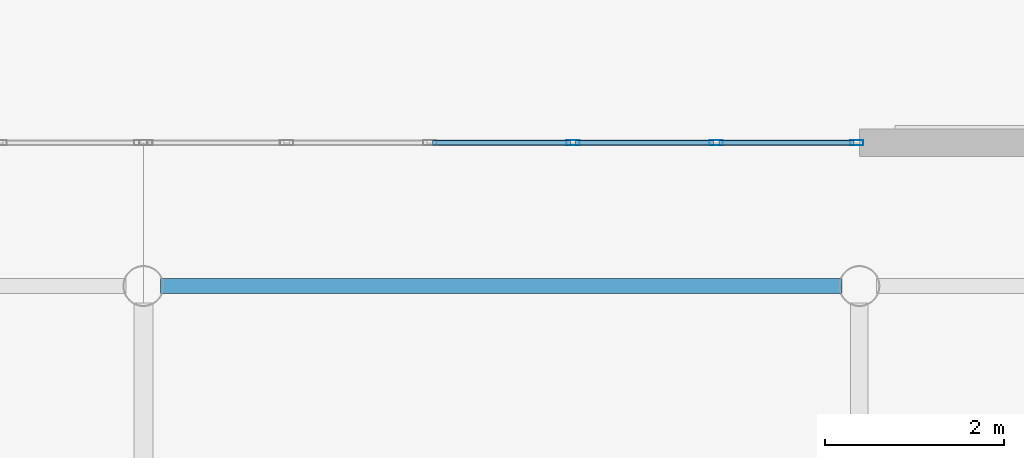
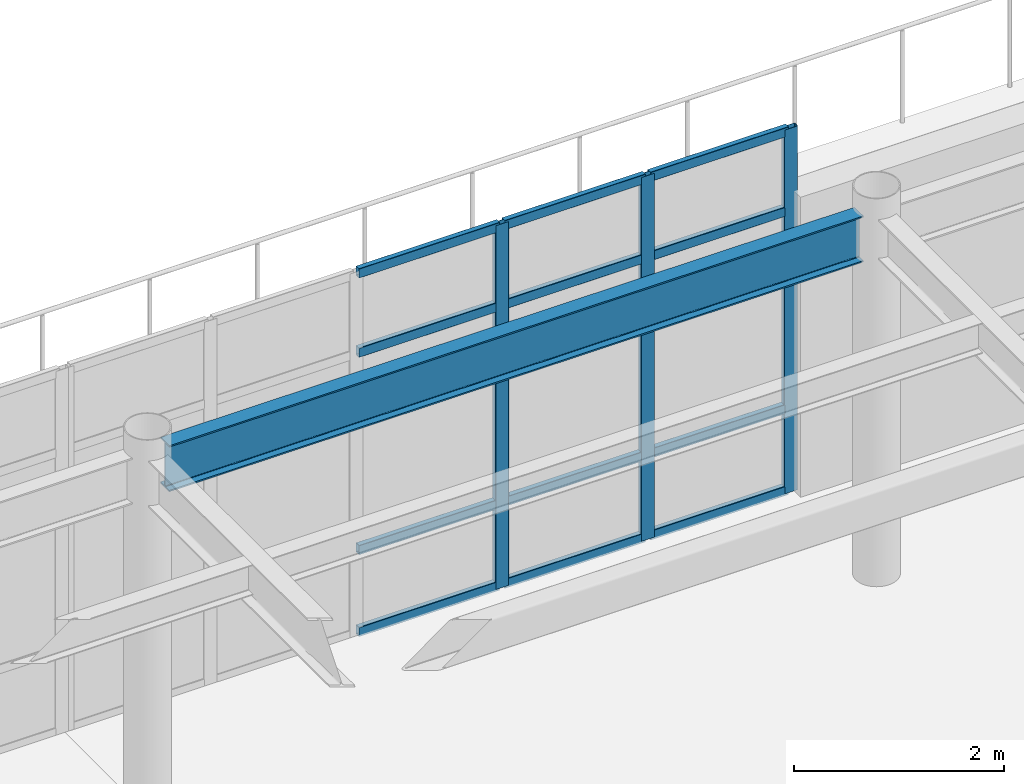
# One storey, part 26 of 93: 15 members, 1 beam, 1 element without a shape of its own.
"""IFC4 building model written with IfcOpenShell, lengths in metres."""

from ifc_helpers import new_model, si_unit, direction, frame, origin, origin_2d, place, context, subcontext, project, spatial, hollow_rectangle, i_section, extrude, material, material_profile, profile_set, type_object, element, aggregate, save


model = new_model("IFC4")

# Units and contexts
model_context = context("Model", 3, precision=1e-05, world=origin(), true_north=direction((0.0, 1.0)))
body_context = subcontext(model_context, "Body", "Model", "MODEL_VIEW")
ifc_project = project(units=[si_unit("LENGTHUNIT", "METRE"), si_unit("AREAUNIT", "SQUARE_METRE"), si_unit("VOLUMEUNIT", "CUBIC_METRE"), si_unit("PLANEANGLEUNIT", "RADIAN"), si_unit("MASSUNIT", "GRAM", prefix="KILO")], contexts=[model_context])

# Site, building, storey
site_placement = place(None, origin())
site = spatial("IfcSite", under=ifc_project, at=site_placement, CompositionType="ELEMENT")
building_placement = place(site_placement, origin())
building = spatial("IfcBuilding", under=site, at=building_placement, Name="Solmirada Galleria", CompositionType="ELEMENT")
storey_placement = place(building_placement, frame((0.0, 0.0, 14.89990234375)))
storey = spatial("IfcBuildingStorey", under=building, at=storey_placement, Name="L03", CompositionType="ELEMENT", Elevation=14.89990234375)

# Beam
ifc_material_1 = material(Name="Steel S355 / ASTM A992 Grade 50", Category="steel")
ifc_material_profile_1 = material_profile(ifc_material_1, i_section(OverallWidth=0.1669921875, OverallDepth=0.534912109375, WebThickness=0.01025390625, FlangeThickness=0.0166015625, FilletRadius=0.013916015625, at=origin_2d()), Name="W21X57")
ifc_profile_set_1 = profile_set([ifc_material_profile_1], Name="Steel S355 / ASTM A992 Grade 50")
beam_type = type_object("IfcBeamType", Name="BM-GIRD-W21C", PredefinedType="BEAM", material=ifc_profile_set_1)
beam_placement = place(storey_placement, frame((112.19189453125, 32.0, 3.99267578125), z_axis=(1.0, 0.0, 0.0), x_axis=(0.0, 1.0, 0.0)))
element("IfcBeam", 1, at=beam_placement, inside=storey, type_object=beam_type, Name="Primary beam L04 X(112..120, 32)", PredefinedType="BEAM", context=body_context, shape_type="SweptSolid", body=[
    extrude(i_section(OverallWidth=0.1669921875, OverallDepth=0.534912109375, WebThickness=0.01025390625, FlangeThickness=0.0166015625, FilletRadius=0.013916015625, at=origin_2d()), origin(), (0.0, 0.0, 1.0), 7.6162109375),
])

# Curtain wall, members
ifc_material_2 = material(Name="Impact-resistant low-E double glazing", Category="glass")
curtain_wall_type = type_object("IfcCurtainWallType", Name="CW-FZ5-L03-B5-L080", PredefinedType="NOTDEFINED", material=ifc_material_2)
curtain_wall_placement = place(storey_placement, origin())
curtain_wall = element("IfcCurtainWall", 2, at=curtain_wall_placement, inside=storey, type_object=curtain_wall_type, Name="Terrace and arcade storefront CW-L03-138", PredefinedType="NOTDEFINED")
ifc_material_3 = material(Name="Anodised aluminium framing", Category="aluminium")
ifc_material_profile_2 = material_profile(ifc_material_3, hollow_rectangle(XDim=0.06005859375, YDim=0.14990234375, WallThickness=0.00341796875, InnerFilletRadius=0.00341796875, OuterFilletRadius=0.007080078125, at=origin_2d()), Name="ALU-MULL-150X60")
ifc_profile_set_2 = profile_set([ifc_material_profile_2], Name="Anodised aluminium framing")
member_type_1 = type_object("IfcMemberType", Name="CW-MULL-150", PredefinedType="MULLION", material=ifc_profile_set_2)
member_1_placement = place(storey_placement, frame((116.800048828125, 33.60009765625, 0.0), z_axis=(0.0, 0.0, 1.0), x_axis=(0.0, 1.0, 0.0)))
member_1 = element("IfcMember", 3, at=member_1_placement, type_object=member_type_1, Name="CW29 mullion 4", PredefinedType="MULLION", context=body_context, shape_type="SweptSolid", body=[
    extrude(hollow_rectangle(XDim=0.06005859375, YDim=0.14990234375, WallThickness=0.00341796875, InnerFilletRadius=0.00341796875, OuterFilletRadius=0.007080078125, at=origin_2d()), origin(), (0.0, 0.0, 1.0), 4.22021484375),
])
member_2_placement = place(storey_placement, frame((118.39990234375, 33.60009765625, 0.0), z_axis=(0.0, 0.0, 1.0), x_axis=(0.0, 1.0, 0.0)))
member_2 = element("IfcMember", 4, at=member_2_placement, type_object=member_type_1, Name="CW29 mullion 5", PredefinedType="MULLION", context=body_context, shape_type="SweptSolid", body=[
    extrude(hollow_rectangle(XDim=0.06005859375, YDim=0.14990234375, WallThickness=0.00341796875, InnerFilletRadius=0.00341796875, OuterFilletRadius=0.007080078125, at=origin_2d()), origin(), (0.0, 0.0, 1.0), 4.22021484375),
])
member_3_placement = place(storey_placement, frame((119.969970703125, 33.60009765625, 0.0), z_axis=(0.0, 0.0, 1.0), x_axis=(0.0, 1.0, 0.0)))
member_3 = element("IfcMember", 5, at=member_3_placement, type_object=member_type_1, Name="CW29 mullion 6", PredefinedType="MULLION", context=body_context, shape_type="SweptSolid", body=[
    extrude(hollow_rectangle(XDim=0.06005859375, YDim=0.14990234375, WallThickness=0.00341796875, InnerFilletRadius=0.00341796875, OuterFilletRadius=0.007080078125, at=origin_2d()), origin(), (0.0, 0.0, 1.0), 4.22021484375),
])
ifc_material_profile_3 = material_profile(ifc_material_3, hollow_rectangle(XDim=0.06005859375, YDim=0.110107421875, WallThickness=0.003173828125, InnerFilletRadius=0.003173828125, OuterFilletRadius=0.00634765625, at=origin_2d()), Name="ALU-TRAN-110X60")
ifc_profile_set_3 = profile_set([ifc_material_profile_3], Name="Anodised aluminium framing")
member_type_2 = type_object("IfcMemberType", Name="CW-TRAN-110", PredefinedType="USERDEFINED", material=ifc_profile_set_3)
member_4_placement = place(storey_placement, frame((115.22998046875, 33.60009765625, 0.030029296875), z_axis=(1.0, 0.0, 0.0), x_axis=(0.0, 1.0, 0.0)))
member_4 = element("IfcMember", 6, at=member_4_placement, type_object=member_type_2, Name="CW29 transom 3.1", ObjectType="TRANSOM", PredefinedType="USERDEFINED", context=body_context, shape_type="SweptSolid", body=[
    extrude(hollow_rectangle(XDim=0.06005859375, YDim=0.110107421875, WallThickness=0.003173828125, InnerFilletRadius=0.003173828125, OuterFilletRadius=0.00634765625, at=origin_2d()), origin(), (0.0, 0.0, 1.0), 1.5400390625),
])
member_5_placement = place(storey_placement, frame((115.22998046875, 33.60009765625, 0.97998046875), z_axis=(1.0, 0.0, 0.0), x_axis=(0.0, 1.0, 0.0)))
member_5 = element("IfcMember", 7, at=member_5_placement, type_object=member_type_2, Name="CW29 transom 3.2", ObjectType="TRANSOM", PredefinedType="USERDEFINED", context=body_context, shape_type="SweptSolid", body=[
    extrude(hollow_rectangle(XDim=0.06005859375, YDim=0.110107421875, WallThickness=0.003173828125, InnerFilletRadius=0.003173828125, OuterFilletRadius=0.00634765625, at=origin_2d()), origin(), (0.0, 0.0, 1.0), 1.5400390625),
])
member_6_placement = place(storey_placement, frame((115.22998046875, 33.60009765625, 3.27001953125), z_axis=(1.0, 0.0, 0.0), x_axis=(0.0, 1.0, 0.0)))
member_6 = element("IfcMember", 8, at=member_6_placement, type_object=member_type_2, Name="CW29 transom 3.3", ObjectType="TRANSOM", PredefinedType="USERDEFINED", context=body_context, shape_type="SweptSolid", body=[
    extrude(hollow_rectangle(XDim=0.06005859375, YDim=0.110107421875, WallThickness=0.003173828125, InnerFilletRadius=0.003173828125, OuterFilletRadius=0.00634765625, at=origin_2d()), origin(), (0.0, 0.0, 1.0), 1.5400390625),
])
member_7_placement = place(storey_placement, frame((115.22998046875, 33.60009765625, 4.190185546875), z_axis=(1.0, 0.0, 0.0), x_axis=(0.0, 1.0, 0.0)))
member_7 = element("IfcMember", 9, at=member_7_placement, type_object=member_type_2, Name="CW29 transom 3.4", ObjectType="TRANSOM", PredefinedType="USERDEFINED", context=body_context, shape_type="SweptSolid", body=[
    extrude(hollow_rectangle(XDim=0.06005859375, YDim=0.110107421875, WallThickness=0.003173828125, InnerFilletRadius=0.003173828125, OuterFilletRadius=0.00634765625, at=origin_2d()), origin(), (0.0, 0.0, 1.0), 1.5400390625),
])
member_8_placement = place(storey_placement, frame((116.830078125, 33.60009765625, 0.030029296875), z_axis=(1.0, 0.0, 0.0), x_axis=(0.0, 1.0, 0.0)))
member_8 = element("IfcMember", 10, at=member_8_placement, type_object=member_type_2, Name="CW29 transom 4.1", ObjectType="TRANSOM", PredefinedType="USERDEFINED", context=body_context, shape_type="SweptSolid", body=[
    extrude(hollow_rectangle(XDim=0.06005859375, YDim=0.110107421875, WallThickness=0.003173828125, InnerFilletRadius=0.003173828125, OuterFilletRadius=0.00634765625, at=origin_2d()), origin(), (0.0, 0.0, 1.0), 1.5400390625),
])
member_9_placement = place(storey_placement, frame((116.830078125, 33.60009765625, 0.97998046875), z_axis=(1.0, 0.0, 0.0), x_axis=(0.0, 1.0, 0.0)))
member_9 = element("IfcMember", 11, at=member_9_placement, type_object=member_type_2, Name="CW29 transom 4.2", ObjectType="TRANSOM", PredefinedType="USERDEFINED", context=body_context, shape_type="SweptSolid", body=[
    extrude(hollow_rectangle(XDim=0.06005859375, YDim=0.110107421875, WallThickness=0.003173828125, InnerFilletRadius=0.003173828125, OuterFilletRadius=0.00634765625, at=origin_2d()), origin(), (0.0, 0.0, 1.0), 1.5400390625),
])
member_10_placement = place(storey_placement, frame((116.830078125, 33.60009765625, 3.27001953125), z_axis=(1.0, 0.0, 0.0), x_axis=(0.0, 1.0, 0.0)))
member_10 = element("IfcMember", 12, at=member_10_placement, type_object=member_type_2, Name="CW29 transom 4.3", ObjectType="TRANSOM", PredefinedType="USERDEFINED", context=body_context, shape_type="SweptSolid", body=[
    extrude(hollow_rectangle(XDim=0.06005859375, YDim=0.110107421875, WallThickness=0.003173828125, InnerFilletRadius=0.003173828125, OuterFilletRadius=0.00634765625, at=origin_2d()), origin(), (0.0, 0.0, 1.0), 1.5400390625),
])
member_11_placement = place(storey_placement, frame((116.830078125, 33.60009765625, 4.190185546875), z_axis=(1.0, 0.0, 0.0), x_axis=(0.0, 1.0, 0.0)))
member_11 = element("IfcMember", 13, at=member_11_placement, type_object=member_type_2, Name="CW29 transom 4.4", ObjectType="TRANSOM", PredefinedType="USERDEFINED", context=body_context, shape_type="SweptSolid", body=[
    extrude(hollow_rectangle(XDim=0.06005859375, YDim=0.110107421875, WallThickness=0.003173828125, InnerFilletRadius=0.003173828125, OuterFilletRadius=0.00634765625, at=origin_2d()), origin(), (0.0, 0.0, 1.0), 1.5400390625),
])
member_12_placement = place(storey_placement, frame((118.429931640625, 33.60009765625, 0.030029296875), z_axis=(1.0, 0.0, 0.0), x_axis=(0.0, 1.0, 0.0)))
member_12 = element("IfcMember", 14, at=member_12_placement, type_object=member_type_2, Name="CW29 transom 5.1", ObjectType="TRANSOM", PredefinedType="USERDEFINED", context=body_context, shape_type="SweptSolid", body=[
    extrude(hollow_rectangle(XDim=0.06005859375, YDim=0.110107421875, WallThickness=0.003173828125, InnerFilletRadius=0.003173828125, OuterFilletRadius=0.00634765625, at=origin_2d()), origin(), (0.0, 0.0, 1.0), 1.510009765625),
])
member_13_placement = place(storey_placement, frame((118.429931640625, 33.60009765625, 0.97998046875), z_axis=(1.0, 0.0, 0.0), x_axis=(0.0, 1.0, 0.0)))
member_13 = element("IfcMember", 15, at=member_13_placement, type_object=member_type_2, Name="CW29 transom 5.2", ObjectType="TRANSOM", PredefinedType="USERDEFINED", context=body_context, shape_type="SweptSolid", body=[
    extrude(hollow_rectangle(XDim=0.06005859375, YDim=0.110107421875, WallThickness=0.003173828125, InnerFilletRadius=0.003173828125, OuterFilletRadius=0.00634765625, at=origin_2d()), origin(), (0.0, 0.0, 1.0), 1.510009765625),
])
member_14_placement = place(storey_placement, frame((118.429931640625, 33.60009765625, 3.27001953125), z_axis=(1.0, 0.0, 0.0), x_axis=(0.0, 1.0, 0.0)))
member_14 = element("IfcMember", 16, at=member_14_placement, type_object=member_type_2, Name="CW29 transom 5.3", ObjectType="TRANSOM", PredefinedType="USERDEFINED", context=body_context, shape_type="SweptSolid", body=[
    extrude(hollow_rectangle(XDim=0.06005859375, YDim=0.110107421875, WallThickness=0.003173828125, InnerFilletRadius=0.003173828125, OuterFilletRadius=0.00634765625, at=origin_2d()), origin(), (0.0, 0.0, 1.0), 1.510009765625),
])
member_15_placement = place(storey_placement, frame((118.429931640625, 33.60009765625, 4.190185546875), z_axis=(1.0, 0.0, 0.0), x_axis=(0.0, 1.0, 0.0)))
member_15 = element("IfcMember", 17, at=member_15_placement, type_object=member_type_2, Name="CW29 transom 5.4", ObjectType="TRANSOM", PredefinedType="USERDEFINED", context=body_context, shape_type="SweptSolid", body=[
    extrude(hollow_rectangle(XDim=0.06005859375, YDim=0.110107421875, WallThickness=0.003173828125, InnerFilletRadius=0.003173828125, OuterFilletRadius=0.00634765625, at=origin_2d()), origin(), (0.0, 0.0, 1.0), 1.510009765625),
])
aggregate(curtain_wall, [member_1, member_2, member_3, member_4, member_5, member_6, member_7, member_8, member_9, member_10, member_11, member_12, member_13, member_14, member_15])

save(model, "model.ifc")
